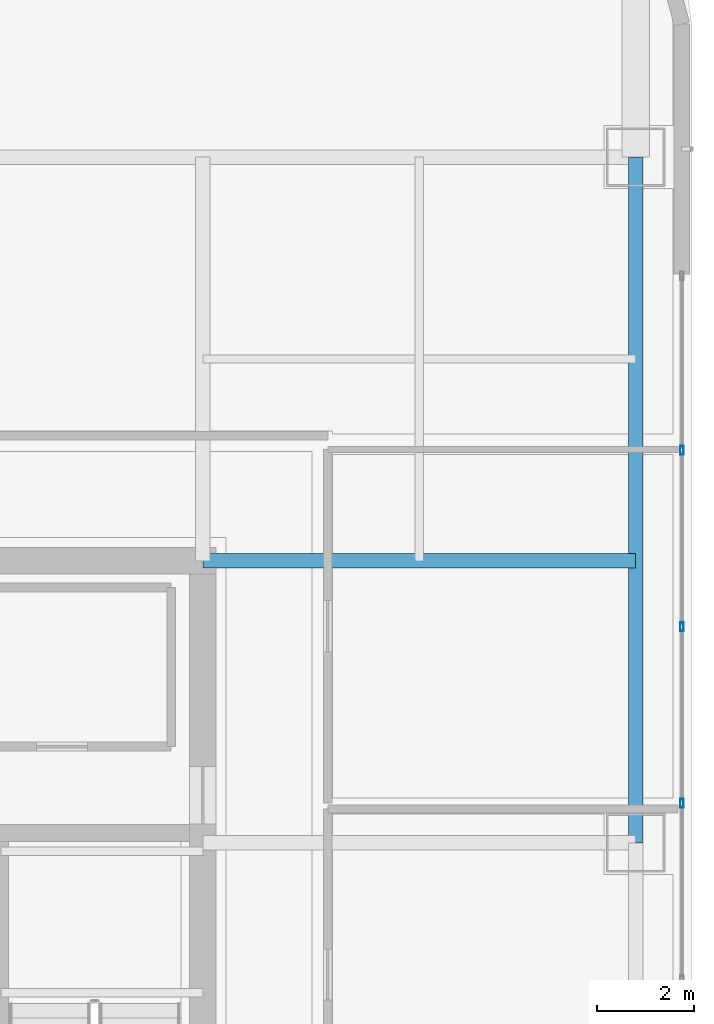
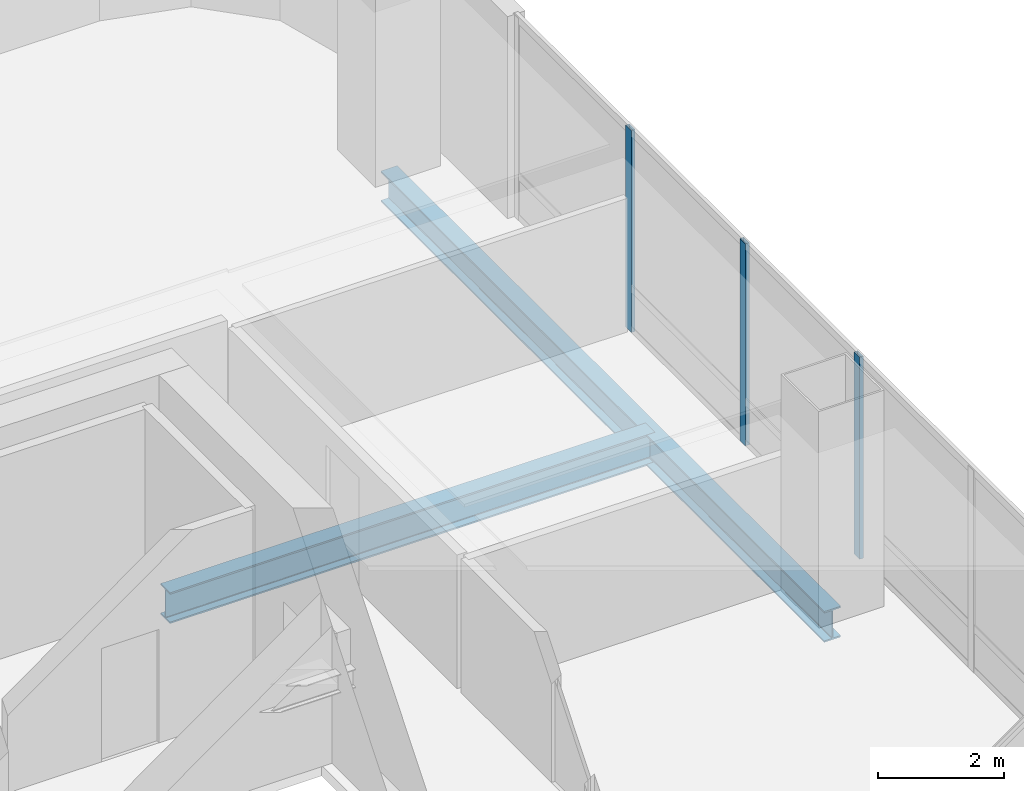
# One storey, part 19 of 51: 3 members, 2 beams, 1 element without a shape of its own.
"""IFC4 building model written with IfcOpenShell, lengths in metres."""

from ifc_helpers import new_model, si_unit, direction, frame, origin, origin_2d, place, context, subcontext, project, spatial, hollow_rectangle, i_section, extrude, material, material_profile, profile_set, type_object, element, aggregate, save


model = new_model("IFC4")

# Units and contexts
model_context = context("Model", 3, precision=1e-05, world=origin(), true_north=direction((0.0, 1.0)))
body_context = subcontext(model_context, "Body", "Model", "MODEL_VIEW")
ifc_project = project(units=[si_unit("LENGTHUNIT", "METRE"), si_unit("AREAUNIT", "SQUARE_METRE"), si_unit("VOLUMEUNIT", "CUBIC_METRE"), si_unit("PLANEANGLEUNIT", "RADIAN"), si_unit("MASSUNIT", "GRAM", prefix="KILO")], contexts=[model_context])

# Site, building, storey
site_placement = place(None, origin())
site = spatial("IfcSite", under=ifc_project, at=site_placement, CompositionType="ELEMENT")
building_placement = place(site_placement, origin())
building = spatial("IfcBuilding", under=site, at=building_placement, Name="Punatoya Terracotta Tower", CompositionType="ELEMENT")
storey_placement = place(building_placement, frame((0.0, 0.0, 313.199951171875)))
storey = spatial("IfcBuildingStorey", under=building, at=storey_placement, Name="L74", CompositionType="ELEMENT", Elevation=313.199951171875)

# Beams
ifc_material_1 = material(Name="Steel S355", Category="steel")
ifc_material_profile_1 = material_profile(ifc_material_1, i_section(OverallWidth=0.300048828125, OverallDepth=0.60009765625, WebThickness=0.015380859375, FlangeThickness=0.030029296875, FilletRadius=0.01806640625, at=origin_2d()))
ifc_profile_set_1 = profile_set([ifc_material_profile_1], Name="Steel S355")
beam_type = type_object("IfcBeamType", Name="BM-PRI-600", PredefinedType="BEAM", material=ifc_profile_set_1)
beam_1_placement = place(storey_placement, frame((19.10009765625, 3.39990234375, -0.5), z_axis=(0.0, 1.0, 0.0), x_axis=(-1.0, 0.0, 0.0)))
element("IfcBeam", 1, at=beam_1_placement, inside=storey, type_object=beam_type, Name="BM-L74-RG-E3", PredefinedType="BEAM", context=body_context, shape_type="SweptSolid", body=[
    extrude(i_section(OverallWidth=0.300048828125, OverallDepth=0.60009765625, WebThickness=0.015380859375, FlangeThickness=0.030029296875, FilletRadius=0.01806640625, at=origin_2d()), origin(), (0.0, 0.0, 1.0), 14.10009765625),
])
beam_2_placement = place(storey_placement, frame((10.199951171875, 9.199951171875, -0.5), z_axis=(1.0, 0.0, 0.0), x_axis=(0.0, 1.0, 0.0)))
element("IfcBeam", 2, at=beam_2_placement, inside=storey, type_object=beam_type, Name="BM-L74-PR-EN", PredefinedType="BEAM", context=body_context, shape_type="SweptSolid", body=[
    extrude(i_section(OverallWidth=0.300048828125, OverallDepth=0.60009765625, WebThickness=0.015380859375, FlangeThickness=0.030029296875, FilletRadius=0.01806640625, at=origin_2d()), origin(), (0.0, 0.0, 1.0), 8.900146484375),
])

# Curtain wall, members
ifc_material_2 = material(Name="Aluminium 6063-T6 + Double Low-E Glass", Category="aluminium")
curtain_wall_type = type_object("IfcCurtainWallType", Name="CW-M3", PredefinedType="NOTDEFINED", material=ifc_material_2)
curtain_wall_placement = place(storey_placement, origin())
curtain_wall = element("IfcCurtainWall", 3, at=curtain_wall_placement, inside=storey, type_object=curtain_wall_type, Name="L74 Curtain Wall CW-L74-E05-1", PredefinedType="NOTDEFINED")
ifc_material_3 = material(Name="Aluminium 6063-T6", Category="aluminium")
ifc_material_profile_2 = material_profile(ifc_material_3, hollow_rectangle(XDim=0.070068359375, YDim=0.179931640625, WallThickness=0.00390625, at=origin_2d()))
ifc_profile_set_2 = profile_set([ifc_material_profile_2], Name="Aluminium 6063-T6")
member_type = type_object("IfcMemberType", Name="CW-MUL-M3", PredefinedType="MULLION", material=ifc_profile_set_2)
member_1_placement = place(storey_placement, frame((20.050048828125, 4.21435546875, 0.0), z_axis=(0.0, 0.0, 1.0), x_axis=(1.0, 0.0, 0.0)))
member_1 = element("IfcMember", 4, at=member_1_placement, type_object=member_type, Name="CW-L74-E05-1 Mullion 04", PredefinedType="MULLION", context=body_context, shape_type="SweptSolid", body=[
    extrude(hollow_rectangle(XDim=0.070068359375, YDim=0.179931640625, WallThickness=0.00390625, at=origin_2d()), origin(), (0.0, 0.0, 1.0), 3.920166015625),
])
member_2_placement = place(storey_placement, frame((20.050048828125, 7.843017578125, 0.0), z_axis=(0.0, 0.0, 1.0), x_axis=(1.0, 0.0, 0.0)))
member_2 = element("IfcMember", 5, at=member_2_placement, type_object=member_type, Name="CW-L74-E05-1 Mullion 05", PredefinedType="MULLION", context=body_context, shape_type="SweptSolid", body=[
    extrude(hollow_rectangle(XDim=0.070068359375, YDim=0.179931640625, WallThickness=0.00390625, at=origin_2d()), origin(), (0.0, 0.0, 1.0), 3.920166015625),
])
member_3_placement = place(storey_placement, frame((20.050048828125, 11.471435546875, 0.0), z_axis=(0.0, 0.0, 1.0), x_axis=(1.0, 0.0, 0.0)))
member_3 = element("IfcMember", 6, at=member_3_placement, type_object=member_type, Name="CW-L74-E05-1 Mullion 06", PredefinedType="MULLION", context=body_context, shape_type="SweptSolid", body=[
    extrude(hollow_rectangle(XDim=0.070068359375, YDim=0.179931640625, WallThickness=0.00390625, at=origin_2d()), origin(), (0.0, 0.0, 1.0), 3.920166015625),
])
aggregate(curtain_wall, [member_1, member_2, member_3])

save(model, "model.ifc")
